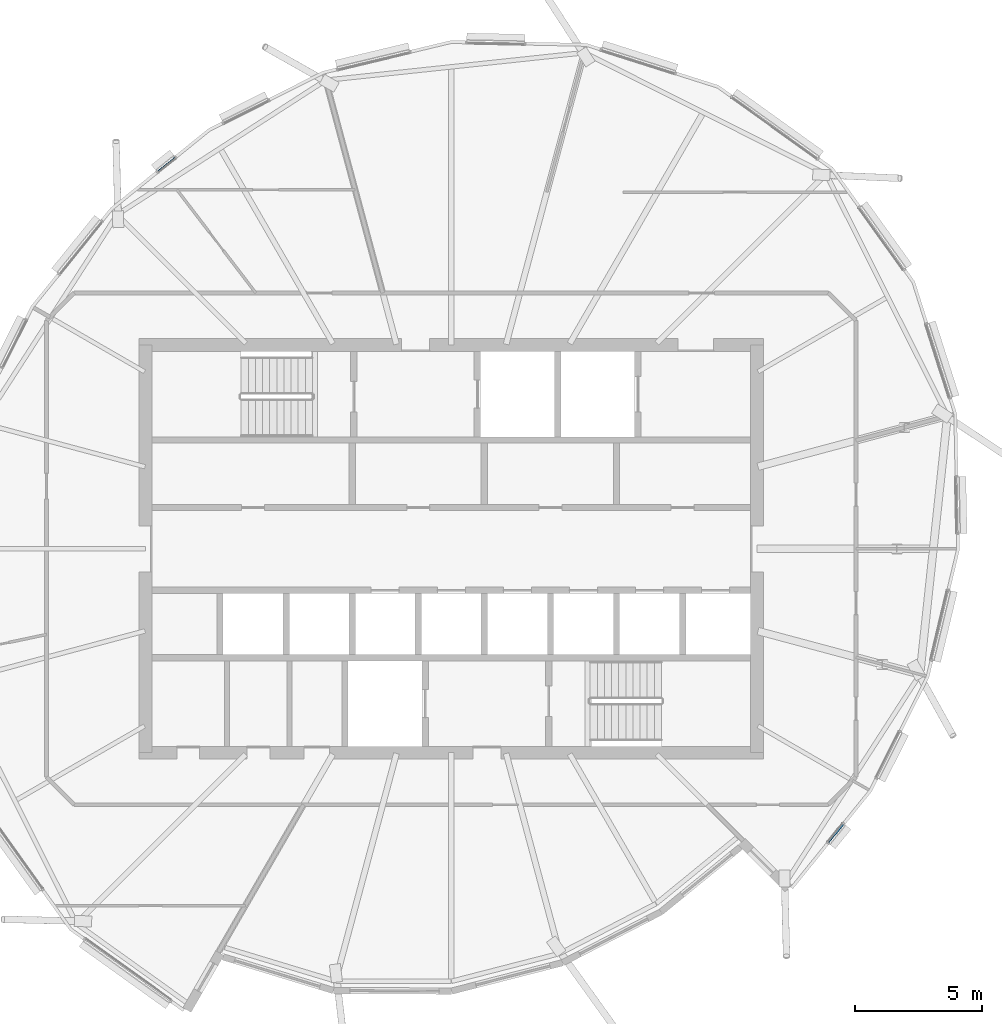
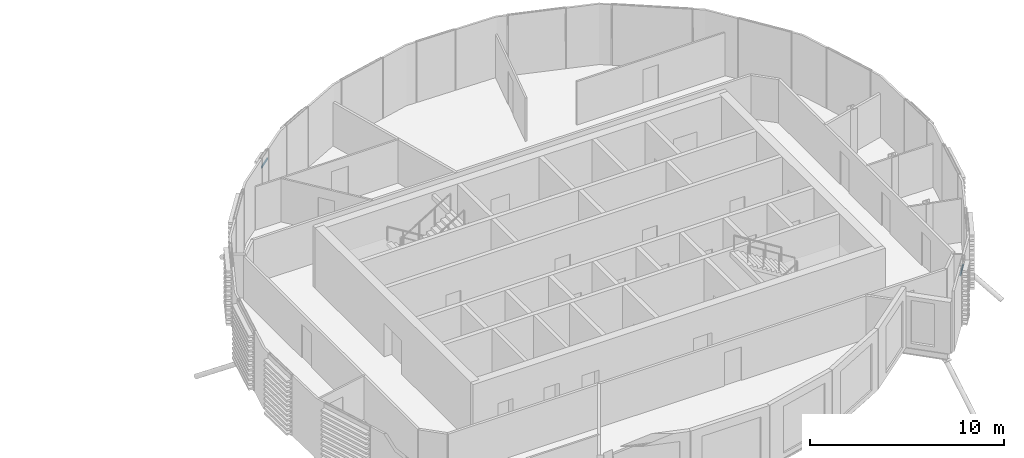
# One storey, part 17 of 41: 2 members, 1 element without a shape of its own.
"""IFC4 building model written with IfcOpenShell, lengths in metres."""

from ifc_helpers import new_model, si_unit, direction, frame, origin, origin_2d, place, context, subcontext, project, spatial, rectangle, extrude, material, material_profile, profile_set, type_object, element, aggregate, save


model = new_model("IFC4")

# Units and contexts
model_context = context("Model", 3, precision=1e-05, world=origin(), true_north=direction((0.0, 1.0)))
body_context = subcontext(model_context, "Body", "Model", "MODEL_VIEW")
ifc_project = project(units=[si_unit("LENGTHUNIT", "METRE"), si_unit("AREAUNIT", "SQUARE_METRE"), si_unit("VOLUMEUNIT", "CUBIC_METRE"), si_unit("PLANEANGLEUNIT", "RADIAN"), si_unit("MASSUNIT", "GRAM", prefix="KILO")], contexts=[model_context])

# Site, building, storey
site_placement = place(None, origin())
site = spatial("IfcSite", under=ifc_project, at=site_placement, CompositionType="ELEMENT")
building_placement = place(site_placement, origin())
building = spatial("IfcBuilding", under=site, at=building_placement, Name="Rimbun Link Towers", CompositionType="ELEMENT")
storey_placement = place(building_placement, frame((0.0, 0.0, 214.300048828125)))
storey = spatial("IfcBuildingStorey", under=building, at=storey_placement, Name="L52", CompositionType="ELEMENT", Elevation=214.300048828125)

# Curtain wall, members
ifc_material_1 = material(Name="Aluminium 6063-T6 and low-iron glass", Category="aluminium")
curtain_wall_type = type_object("IfcCurtainWallType", Name="CW1-Z4 unitised vision wall (zone 4)", PredefinedType="NOTDEFINED", material=ifc_material_1)
curtain_wall_placement = place(storey_placement, origin())
curtain_wall = element("IfcCurtainWall", 1, at=curtain_wall_placement, inside=storey, type_object=curtain_wall_type, Name="CW1 L52 T2", PredefinedType="NOTDEFINED")
ifc_material_2 = material(Name="Aluminium 6063-T6", Category="aluminium")
ifc_material_profile = material_profile(ifc_material_2, rectangle(XDim=0.06005859375, YDim=0.1201171875, at=origin_2d()), Name="TRANSOM 60X120")
ifc_profile_set = profile_set([ifc_material_profile], Name="Aluminium 6063-T6")
member_type = type_object("IfcMemberType", Name="CW1 transom 60X120", PredefinedType="USERDEFINED", material=ifc_profile_set)
member_1_placement = place(storey_placement, frame((20.228271484375, 14.807373046875, 3.199951171875), z_axis=(0.777257982113, 0.629182031881, 0.0), x_axis=(-0.629182031881, 0.777257982113, 0.0)))
member_1 = element("IfcMember", 2, at=member_1_placement, type_object=member_type, Name="CW1 transom", ObjectType="TRANSOM", PredefinedType="USERDEFINED", context=body_context, shape_type="SweptSolid", body=[
    extrude(rectangle(XDim=0.06005859375, YDim=0.1201171875, at=origin_2d()), origin(), (0.0, 0.0, 1.0), 0.8671875),
])
member_2_placement = place(storey_placement, frame((47.13427734375, -10.80859375, 3.199951171875), z_axis=(-0.62893786628, -0.777455568093, 0.0), x_axis=(0.777455568093, -0.62893786628, 0.0)))
member_2 = element("IfcMember", 3, at=member_2_placement, type_object=member_type, Name="CW1 transom", ObjectType="TRANSOM", PredefinedType="USERDEFINED", context=body_context, shape_type="SweptSolid", body=[
    extrude(rectangle(XDim=0.06005859375, YDim=0.1201171875, at=origin_2d()), origin(), (0.0, 0.0, 1.0), 0.917236328125),
])
aggregate(curtain_wall, [member_1, member_2])

save(model, "model.ifc")
